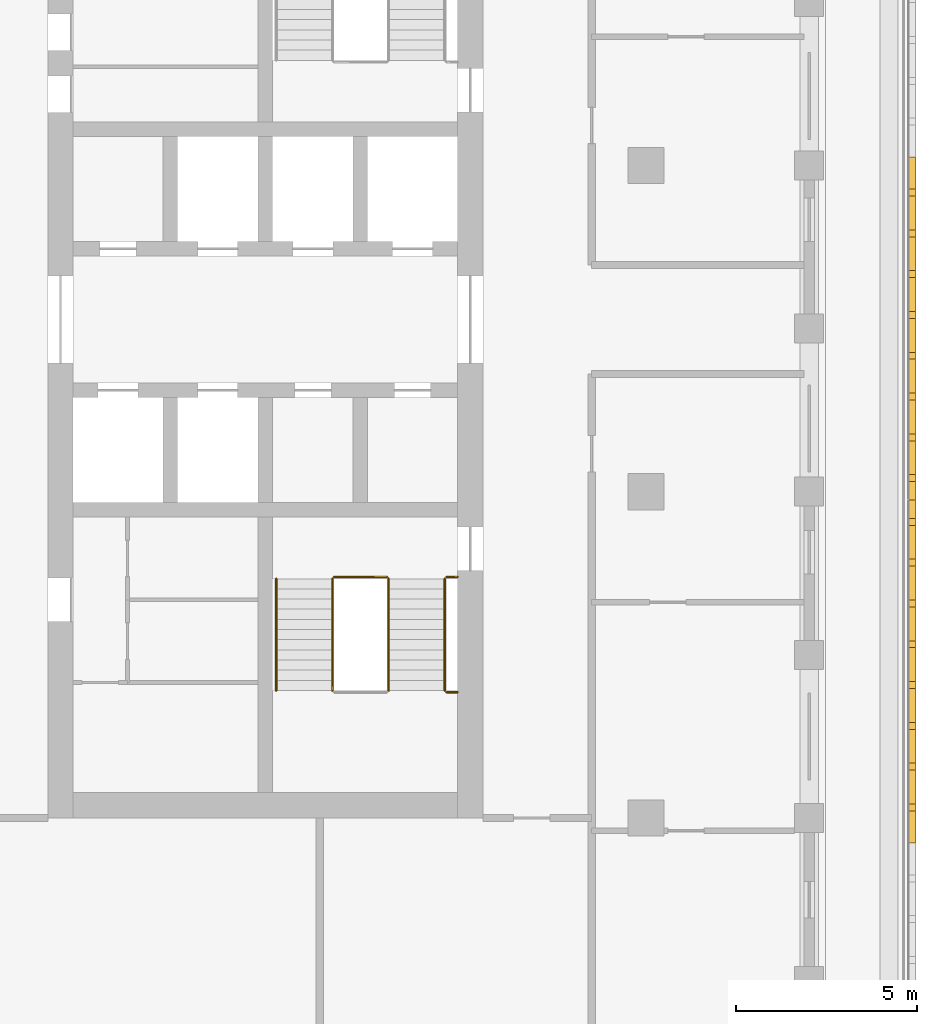
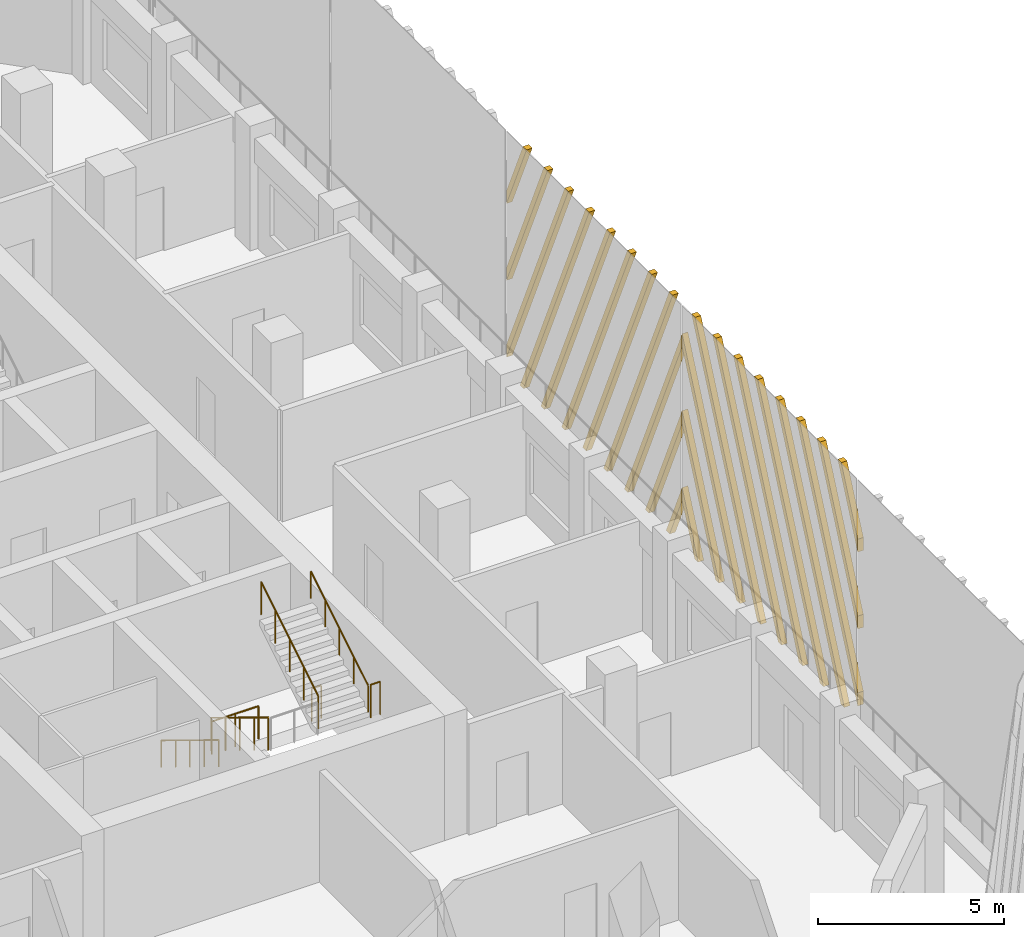
# One storey, part 12 of 17: 7 railings, 2 shading devices.
"""IFC4 building model written with IfcOpenShell, lengths in metres."""

import ifcopenshell
import ifcopenshell.guid

model = None  # the IFC model being written
_history = None  # IfcOwnerHistory: only IFC2X3 demands one
_inside = {}  # id of a spatial element -> (the spatial element, [elements in it])
_under = {}  # id of a project, library or spatial element -> (it, [spatial elements below it])
_declared = {}  # id of a project -> (the project, [libraries it declares])
_typed = {}  # id of a type object -> (the type object, [elements of that type])
_made_of = {}  # id of a material, layer set ... -> (it, [elements and type objects made of it])


def new_model(schema):
    """Start an empty IFC model of exactly this schema.

    Asked for "IFC4X3", IfcOpenShell would pick the latest addendum, in which some entities
    have other attributes; the version numbers below select the first issue.
    IFC2X3 requires an IfcOwnerHistory on every rooted entity: one is made here for all.
    """
    global model, _history
    if schema == "IFC4X3":
        model = ifcopenshell.file(schema_version=(4, 3, 0, 0))
    else:
        model = ifcopenshell.file(schema=schema)
    _inside.clear()
    _under.clear()
    _declared.clear()
    _typed.clear()
    _made_of.clear()
    _history = None
    if model.schema == "IFC2X3":
        org = make("IfcOrganization", Name="unknown")
        user = make(
            "IfcPersonAndOrganization",
            ThePerson=make("IfcPerson", FamilyName="unknown"),
            TheOrganization=org,
        )
        app = make(
            "IfcApplication",
            ApplicationDeveloper=org,
            Version="unknown",
            ApplicationFullName="unknown",
            ApplicationIdentifier="unknown",
        )
        _history = make(
            "IfcOwnerHistory",
            OwningUser=user,
            OwningApplication=app,
            ChangeAction="ADDED",
            CreationDate=0,
        )
    return model


def make(cls, **values):
    """One entity of the class cls with the attributes given. An attribute that is None is left unset."""
    return model.create_entity(
        cls, **{name: value for name, value in values.items() if value is not None}
    )


def rooted(cls, **values):
    """An entity with a GlobalId (a new one), such as an element, a storey or a relation."""
    return make(cls, GlobalId=ifcopenshell.guid.new(), OwnerHistory=_history, **values)


def si_unit(unit_type, name, prefix=None):
    """IfcSIUnit, for example si_unit("LENGTHUNIT", "METRE", prefix="MILLI")."""
    return make("IfcSIUnit", UnitType=unit_type, Prefix=prefix, Name=name)


def assignment(units):
    """IfcUnitAssignment: the units of a project."""
    return None if units is None else make("IfcUnitAssignment", Units=units)


def point(xyz):
    """IfcCartesianPoint."""
    return None if xyz is None else make("IfcCartesianPoint", Coordinates=xyz)


def direction(xyz):
    """IfcDirection."""
    return None if xyz is None else make("IfcDirection", DirectionRatios=xyz)


def frame(location, z_axis=None, x_axis=None):
    """IfcAxis2Placement3D, a coordinate frame: its origin and axes. An axis left out is left unset."""
    return make(
        "IfcAxis2Placement3D",
        Location=point(location),
        Axis=direction(z_axis),
        RefDirection=direction(x_axis),
    )


def frame_2d(location, x_axis=None):
    """IfcAxis2Placement2D, a coordinate frame in the plane: its origin and x axis."""
    return make(
        "IfcAxis2Placement2D", Location=point(location), RefDirection=direction(x_axis)
    )


def origin():
    """The frame at (0, 0, 0) with its axes left unset."""
    return frame((0.0, 0.0, 0.0))


def origin_2d():
    """The frame at (0, 0) in the plane with its x axis left unset."""
    return frame_2d((0.0, 0.0))


def place(relative_to, where):
    """IfcLocalPlacement: puts the frame where relative to a parent placement (None: the world)."""
    return make(
        "IfcLocalPlacement", PlacementRelTo=relative_to, RelativePlacement=where
    )


def context(
    kind, dimensions, precision=None, world=None, true_north=None, identifier=None
):
    """IfcGeometricRepresentationContext, for example the 3D "Model" context."""
    return make(
        "IfcGeometricRepresentationContext",
        ContextIdentifier=identifier,
        ContextType=kind,
        CoordinateSpaceDimension=dimensions,
        Precision=precision,
        WorldCoordinateSystem=world,
        TrueNorth=true_north,
    )


def subcontext(parent, identifier, kind, view, scale=None):
    """IfcGeometricRepresentationSubContext, for example "Body" below "Model"."""
    return make(
        "IfcGeometricRepresentationSubContext",
        ContextIdentifier=identifier,
        ContextType=kind,
        ParentContext=parent,
        TargetScale=scale,
        TargetView=view,
    )


def project(units=None, contexts=None):
    """IfcProject with its units and contexts."""
    return rooted(
        "IfcProject",
        Name="project",
        RepresentationContexts=contexts,
        UnitsInContext=assignment(units),
    )


def spatial(cls, under=None, at=None, **own):
    """A site, building, storey or space (cls), placed at a placement, below another one or the project."""
    s = rooted(cls, ObjectPlacement=at, **own)
    if under is not None:
        _under.setdefault(under.id(), (under, []))[1].append(s)
    return s


def polyline(points):
    """IfcPolyline through the points."""
    return make("IfcPolyline", Points=[point(p) for p in points])


def profile(cls, at=None, kind="AREA", **sizes):
    """A parametric profile (cls). Its sizes go by their IFC names, for example OverallWidth=200.0."""
    return make(cls, ProfileType=kind, Position=at, **sizes)


def circle(**sizes):
    """IfcCircleProfileDef."""
    return profile("IfcCircleProfileDef", **sizes)


def outline(outer, holes=None, kind="AREA"):
    """IfcArbitraryClosedProfileDef: a profile drawn as a closed curve; with holes, ...WithVoids."""
    if holes is None:
        return make("IfcArbitraryClosedProfileDef", ProfileType=kind, OuterCurve=outer)
    return make(
        "IfcArbitraryProfileDefWithVoids",
        ProfileType=kind,
        OuterCurve=outer,
        InnerCurves=holes,
    )


def extrude(swept, where, along, depth):
    """IfcExtrudedAreaSolid: the profile swept, set in the frame where, extruded along a direction by depth."""
    return make(
        "IfcExtrudedAreaSolid",
        SweptArea=swept,
        Position=where,
        ExtrudedDirection=direction(along),
        Depth=depth,
    )


def shape(context_of_items, identifier, shape_type, items):
    """IfcShapeRepresentation: the items that make up one representation, for example the "Body"."""
    return make(
        "IfcShapeRepresentation",
        ContextOfItems=context_of_items,
        RepresentationIdentifier=identifier,
        RepresentationType=shape_type,
        Items=items,
    )


def source(mapping_origin, context_of_items, identifier, shape_type, items):
    """IfcRepresentationMap: a shape defined once, which mapped items show again and again."""
    return make(
        "IfcRepresentationMap",
        MappingOrigin=mapping_origin,
        MappedRepresentation=shape(context_of_items, identifier, shape_type, items),
    )


def transform(
    local_origin,
    x_axis=None,
    y_axis=None,
    z_axis=None,
    scale=None,
    scale2=None,
    scale3=None,
    uniform=True,
):
    """IfcCartesianTransformationOperator3D, or its non-uniform kind. x_axis, y_axis, z_axis: its Axis1, 2, 3."""
    if uniform:
        return make(
            "IfcCartesianTransformationOperator3D",
            Axis1=direction(x_axis),
            Axis2=direction(y_axis),
            LocalOrigin=point(local_origin),
            Scale=scale,
            Axis3=direction(z_axis),
        )
    return make(
        "IfcCartesianTransformationOperator3DnonUniform",
        Axis1=direction(x_axis),
        Axis2=direction(y_axis),
        LocalOrigin=point(local_origin),
        Scale=scale,
        Axis3=direction(z_axis),
        Scale2=scale2,
        Scale3=scale3,
    )


def mapped(mapping_source, mapping_target):
    """IfcMappedItem: shows the shape of a source again, moved by a transform."""
    return make(
        "IfcMappedItem", MappingSource=mapping_source, MappingTarget=mapping_target
    )


def material(Name=None, Category=None):
    """IfcMaterial."""
    return make("IfcMaterial", Name=Name, Category=Category)


def made_of(thing, what):
    """Note that an element or type object is made of a material, layer set ...; save() writes the relation."""
    if what is not None:
        _made_of.setdefault(what.id(), (what, []))[1].append(thing)
    return thing


def type_object(cls, material=None, **own):
    """A type object (cls), such as IfcWallType, which elements share."""
    return made_of(rooted(cls, **own), material)


def element(
    cls,
    number,
    at=None,
    inside=None,
    cuts=None,
    type_object=None,
    material=None,
    context=None,
    identifier="Body",
    shape_type=None,
    held_by="IfcProductDefinitionShape",
    body=None,
    shapes=None,
    **own,
):
    """One element of the class cls, such as IfcWall. Its Tag is "e" and its number.

    at: its placement. inside: the storey or other place that contains it. cuts: it is an
    opening in that element (IfcRelVoidsElement). A single representation is given by context,
    identifier, shape_type and body (its items); several are given by shapes. held_by: the class
    of the entity that holds the representations. save() writes the other relations.
    """
    e = rooted(cls, Tag="e%d" % number, ObjectPlacement=at, **own)
    if body is not None:
        shapes = [shape(context, identifier, shape_type, body)]
    if shapes is not None:
        e.Representation = make(held_by, Representations=shapes)
    if inside is not None:
        _inside.setdefault(inside.id(), (inside, []))[1].append(e)
    if cuts is not None:
        rooted(
            "IfcRelVoidsElement", RelatingBuildingElement=cuts, RelatedOpeningElement=e
        )
    if type_object is not None:
        _typed.setdefault(type_object.id(), (type_object, []))[1].append(e)
    return made_of(e, material)


def aggregate(whole, parts):
    """IfcRelAggregates: a whole, such as a stair, and the parts it consists of."""
    return rooted("IfcRelAggregates", RelatingObject=whole, RelatedObjects=parts)


def save(model, path):
    """Write the relations noted so far, then the file.

    IfcRelAggregates (storeys below a building ...), IfcRelContainedInSpatialStructure (elements
    in a storey), IfcRelDefinesByType, IfcRelAssociatesMaterial and IfcRelDeclares: one each for
    every whole, place, type object, material and project.
    """
    for whole, parts in _under.values():
        aggregate(whole, parts)
    for where, things in _inside.values():
        rooted(
            "IfcRelContainedInSpatialStructure",
            RelatedElements=things,
            RelatingStructure=where,
        )
    for kind, things in _typed.values():
        rooted("IfcRelDefinesByType", RelatedObjects=things, RelatingType=kind)
    for what, things in _made_of.values():
        rooted("IfcRelAssociatesMaterial", RelatedObjects=things, RelatingMaterial=what)
    for by, libraries in _declared.values():
        rooted("IfcRelDeclares", RelatingContext=by, RelatedDefinitions=libraries)
    model.write(path)


model = new_model("IFC4")

# Units and contexts
model_context = context("Model", 3, precision=1e-05, world=origin(), true_north=direction((0.0, 1.0)))
body_context = subcontext(model_context, "Body", "Model", "MODEL_VIEW")
ifc_project = project(units=[si_unit("LENGTHUNIT", "METRE"), si_unit("AREAUNIT", "SQUARE_METRE"), si_unit("VOLUMEUNIT", "CUBIC_METRE"), si_unit("PLANEANGLEUNIT", "RADIAN"), si_unit("MASSUNIT", "GRAM", prefix="KILO")], contexts=[model_context])

# Site, building, storey
site_placement = place(None, origin())
site = spatial("IfcSite", under=ifc_project, at=site_placement, CompositionType="ELEMENT")
building_placement = place(site_placement, origin())
building = spatial("IfcBuilding", under=site, at=building_placement, Name="Corbel Stack Research Tower", CompositionType="ELEMENT")
storey_placement = place(building_placement, frame((0.0, 0.0, 231.60009765625)))
storey = spatial("IfcBuildingStorey", under=building, at=storey_placement, Name="L52", CompositionType="ELEMENT", Elevation=231.60009765625)

# Railings
ifc_material_1 = material(Name="Steel S355", Category="steel")
railing_type_1 = type_object("IfcRailingType", Name="Stair guard 1100", PredefinedType="GUARDRAIL", material=ifc_material_1)
railing_1_placement = place(storey_placement, frame((13.85009765625, -2.39990234375, 0.170654296875)))
element("IfcRailing", 1, at=railing_1_placement, inside=storey, type_object=railing_type_1, Name="L52 ST-E1 stair guard 1", PredefinedType="GUARDRAIL", context=body_context, shape_type="SweptSolid", body=[
    extrude(circle(Radius=0.02392578125, at=origin_2d()), frame((0.0, 0.0, 1.076171875), z_axis=(0.0, -0.853666305674, 0.52082035152), x_axis=(1.0, 0.0, 0.0)), (0.0, 0.0, 1.0), 3.608154296875),
    extrude(circle(Radius=0.02099609375, at=origin_2d()), origin(), (0.0, 0.0, 1.0), 1.052001953125),
    extrude(circle(Radius=0.02099609375, at=origin_2d()), frame((0.0, -0.77001953125, 0.4697265625)), (0.0, 0.0, 1.0), 1.052001953125),
    extrude(circle(Radius=0.02099609375, at=origin_2d()), frame((0.0, -1.5400390625, 0.939453125)), (0.0, 0.0, 1.0), 1.052001953125),
    extrude(circle(Radius=0.02099609375, at=origin_2d()), frame((0.0, -2.31005859375, 1.409423828125)), (0.0, 0.0, 1.0), 1.052001953125),
    extrude(circle(Radius=0.02099609375, at=origin_2d()), frame((0.0, -3.080078125, 1.879150390625)), (0.0, 0.0, 1.0), 1.052001953125),
])
railing_2_placement = place(storey_placement, frame((17.0, -5.530029296875, 2.0498046875)))
element("IfcRailing", 2, at=railing_2_placement, inside=storey, type_object=railing_type_1, Name="L52 ST-E1 stair guard 3", PredefinedType="GUARDRAIL", context=body_context, shape_type="SweptSolid", body=[
    extrude(circle(Radius=0.02392578125, at=origin_2d()), frame((0.0, 0.0, 1.076171875), z_axis=(1.0, 0.0, 0.0), x_axis=(0.0, 1.0, 0.0)), (0.0, 0.0, 1.0), 0.300048828125),
    extrude(circle(Radius=0.02099609375, at=origin_2d()), origin(), (0.0, 0.0, 1.0), 1.052001953125),
    extrude(circle(Radius=0.02099609375, at=origin_2d()), frame((0.300048828125, 0.0, 0.0)), (0.0, 0.0, 1.0), 1.052001953125),
])
railing_3_placement = place(storey_placement, frame((15.39990234375, -5.47998046875, 2.220703125)))
element("IfcRailing", 3, at=railing_3_placement, inside=storey, type_object=railing_type_1, Name="L52 ST-E1 stair guard 4", PredefinedType="GUARDRAIL", context=body_context, shape_type="SweptSolid", body=[
    extrude(circle(Radius=0.02392578125, at=origin_2d()), frame((0.0, 0.0, 1.076171875), z_axis=(0.0, 0.853666305674, 0.52082035152), x_axis=(-1.0, 0.0, 0.0)), (0.0, 0.0, 1.0), 3.608154296875),
    extrude(circle(Radius=0.02099609375, at=origin_2d()), origin(), (0.0, 0.0, 1.0), 1.052001953125),
    extrude(circle(Radius=0.02099609375, at=origin_2d()), frame((0.0, 0.77001953125, 0.4697265625)), (0.0, 0.0, 1.0), 1.052001953125),
    extrude(circle(Radius=0.02099609375, at=origin_2d()), frame((0.0, 1.5400390625, 0.939453125)), (0.0, 0.0, 1.0), 1.052001953125),
    extrude(circle(Radius=0.02099609375, at=origin_2d()), frame((0.0, 2.31005859375, 1.409423828125)), (0.0, 0.0, 1.0), 1.052001953125),
    extrude(circle(Radius=0.02099609375, at=origin_2d()), frame((0.0, 3.080078125, 1.879150390625)), (0.0, 0.0, 1.0), 1.052001953125),
])
railing_4_placement = place(storey_placement, frame((13.89990234375, -2.35009765625, 0.0)))
element("IfcRailing", 4, at=railing_4_placement, inside=storey, type_object=railing_type_1, Name="L52 ST-E1 stair guard 5", PredefinedType="GUARDRAIL", context=body_context, shape_type="SweptSolid", body=[
    extrude(circle(Radius=0.02392578125, at=origin_2d()), frame((0.0, 0.0, 1.076171875), z_axis=(1.0, 0.0, 0.0), x_axis=(0.0, 1.0, 0.0)), (0.0, 0.0, 1.0), 1.4501953125),
    extrude(circle(Radius=0.02099609375, at=origin_2d()), origin(), (0.0, 0.0, 1.0), 1.052001953125),
    extrude(circle(Radius=0.02099609375, at=origin_2d()), frame((0.72509765625, 0.0, 0.0)), (0.0, 0.0, 1.0), 1.052001953125),
    extrude(circle(Radius=0.02099609375, at=origin_2d()), frame((1.4501953125, 0.0, 0.0)), (0.0, 0.0, 1.0), 1.052001953125),
])
railing_5_placement = place(storey_placement, frame((17.0, -2.35009765625, 0.0)))
element("IfcRailing", 5, at=railing_5_placement, inside=storey, type_object=railing_type_1, Name="L52 ST-E1 stair guard 6", PredefinedType="GUARDRAIL", context=body_context, shape_type="SweptSolid", body=[
    extrude(circle(Radius=0.02392578125, at=origin_2d()), frame((0.0, 0.0, 1.076171875), z_axis=(1.0, 0.0, 0.0), x_axis=(0.0, 1.0, 0.0)), (0.0, 0.0, 1.0), 0.300048828125),
    extrude(circle(Radius=0.02099609375, at=origin_2d()), origin(), (0.0, 0.0, 1.0), 1.052001953125),
    extrude(circle(Radius=0.02099609375, at=origin_2d()), frame((0.300048828125, 0.0, 0.0)), (0.0, 0.0, 1.0), 1.052001953125),
])
ifc_material_2 = material(Name="Steel S355", Category="steel")
railing_type_2 = type_object("IfcRailingType", Name="Stair handrail 900", PredefinedType="HANDRAIL", material=ifc_material_2)
railing_6_placement = place(storey_placement, frame((12.300048828125, -2.39990234375, 0.170654296875)))
element("IfcRailing", 6, at=railing_6_placement, inside=storey, type_object=railing_type_2, Name="L52 ST-E1 stair handrail 1", PredefinedType="HANDRAIL", context=body_context, shape_type="SweptSolid", body=[
    extrude(circle(Radius=0.02392578125, at=origin_2d()), frame((0.0, 0.0, 0.8759765625), z_axis=(0.0, -0.853666305674, 0.52082035152), x_axis=(1.0, 0.0, 0.0)), (0.0, 0.0, 1.0), 3.608154296875),
    extrude(circle(Radius=0.02099609375, at=origin_2d()), origin(), (0.0, 0.0, 1.0), 0.851806640625),
    extrude(circle(Radius=0.02099609375, at=origin_2d()), frame((0.0, -0.77001953125, 0.4697265625)), (0.0, 0.0, 1.0), 0.851806640625),
    extrude(circle(Radius=0.02099609375, at=origin_2d()), frame((0.0, -1.5400390625, 0.939453125)), (0.0, 0.0, 1.0), 0.851806640625),
    extrude(circle(Radius=0.02099609375, at=origin_2d()), frame((0.0, -2.31005859375, 1.409423828125)), (0.0, 0.0, 1.0), 0.851806640625),
    extrude(circle(Radius=0.02099609375, at=origin_2d()), frame((0.0, -3.080078125, 1.879150390625)), (0.0, 0.0, 1.0), 0.851806640625),
])
railing_7_placement = place(storey_placement, frame((16.949951171875, -5.47998046875, 2.220703125)))
element("IfcRailing", 7, at=railing_7_placement, inside=storey, type_object=railing_type_2, Name="L52 ST-E1 stair handrail 2", PredefinedType="HANDRAIL", context=body_context, shape_type="SweptSolid", body=[
    extrude(circle(Radius=0.02392578125, at=origin_2d()), frame((0.0, 0.0, 0.8759765625), z_axis=(0.0, 0.853666305674, 0.52082035152), x_axis=(-1.0, 0.0, 0.0)), (0.0, 0.0, 1.0), 3.608154296875),
    extrude(circle(Radius=0.02099609375, at=origin_2d()), origin(), (0.0, 0.0, 1.0), 0.851806640625),
    extrude(circle(Radius=0.02099609375, at=origin_2d()), frame((0.0, 0.77001953125, 0.4697265625)), (0.0, 0.0, 1.0), 0.851806640625),
    extrude(circle(Radius=0.02099609375, at=origin_2d()), frame((0.0, 1.5400390625, 0.939453125)), (0.0, 0.0, 1.0), 0.851806640625),
    extrude(circle(Radius=0.02099609375, at=origin_2d()), frame((0.0, 2.31005859375, 1.409423828125)), (0.0, 0.0, 1.0), 0.851806640625),
    extrude(circle(Radius=0.02099609375, at=origin_2d()), frame((0.0, 3.080078125, 1.879150390625)), (0.0, 0.0, 1.0), 0.851806640625),
])

# Shading devices
ifc_material_3 = material(Name="Precast terracotta", Category="masonry")
shading_device_type = type_object("IfcShadingDeviceType", Name="Terracotta screen panel", PredefinedType="USERDEFINED", material=ifc_material_3)
shared_shape_1 = source(origin(), body_context, "Body", "SweptSolid", [
    extrude(outline(polyline([(0.862060546875, 0.0), (0.0, 1.936279296875), (0.0, 1.509521484375), (0.672119140625, 0.0), (0.862060546875, 0.0)])), frame((0.0, 0.0, 0.0), z_axis=(0.0, -1.0, 0.0), x_axis=(1.0, 0.0, 0.0)), (0.0, 0.0, 1.0), 0.179931640625),
    extrude(outline(polyline([(1.987060546875, 0.0), (0.0, 4.463134765625), (0.0, 4.036376953125), (1.797119140625, 0.0), (1.987060546875, 0.0)])), frame((0.0, 0.0, 0.0), z_axis=(0.0, -1.0, 0.0), x_axis=(1.0, 0.0, 0.0)), (0.0, 0.0, 1.0), 0.179931640625),
    extrude(outline(polyline([(3.112060546875, 0.0), (0.0, 6.989990234375), (0.0, 6.563232421875), (2.922119140625, 0.0), (3.112060546875, 0.0)])), frame((0.0, 0.0, 0.0), z_axis=(0.0, -1.0, 0.0), x_axis=(1.0, 0.0, 0.0)), (0.0, 0.0, 1.0), 0.179931640625),
    extrude(outline(polyline([(4.237060546875, 0.0), (0.697509765625, 7.949951171875), (0.507568359375, 7.949951171875), (4.047119140625, 0.0), (4.237060546875, 0.0)])), frame((0.0, 0.0, 0.0), z_axis=(0.0, -1.0, 0.0), x_axis=(1.0, 0.0, 0.0)), (0.0, 0.0, 1.0), 0.179931640625),
    extrude(outline(polyline([(5.362060546875, 0.0), (1.822509765625, 7.949951171875), (1.632568359375, 7.949951171875), (5.172119140625, 0.0), (5.362060546875, 0.0)])), frame((0.0, 0.0, 0.0), z_axis=(0.0, -1.0, 0.0), x_axis=(1.0, 0.0, 0.0)), (0.0, 0.0, 1.0), 0.179931640625),
    extrude(outline(polyline([(6.487060546875, 0.0), (2.947509765625, 7.949951171875), (2.757568359375, 7.949951171875), (6.297119140625, 0.0), (6.487060546875, 0.0)])), frame((0.0, 0.0, 0.0), z_axis=(0.0, -1.0, 0.0), x_axis=(1.0, 0.0, 0.0)), (0.0, 0.0, 1.0), 0.179931640625),
    extrude(outline(polyline([(7.612060546875, 0.0), (4.072509765625, 7.949951171875), (3.882568359375, 7.949951171875), (7.422119140625, 0.0), (7.612060546875, 0.0)])), frame((0.0, 0.0, 0.0), z_axis=(0.0, -1.0, 0.0), x_axis=(1.0, 0.0, 0.0)), (0.0, 0.0, 1.0), 0.179931640625),
    extrude(outline(polyline([(8.737060546875, 0.0), (5.197509765625, 7.949951171875), (5.007568359375, 7.949951171875), (8.547119140625, 0.0), (8.737060546875, 0.0)])), frame((0.0, 0.0, 0.0), z_axis=(0.0, -1.0, 0.0), x_axis=(1.0, 0.0, 0.0)), (0.0, 0.0, 1.0), 0.179931640625),
    extrude(outline(polyline([(6.322509765625, 7.949951171875), (6.132568359375, 7.949951171875), (9.45556640625, 0.486328125), (9.45556640625, 0.9130859375), (6.322509765625, 7.949951171875)])), frame((0.0, 0.0, 0.0), z_axis=(0.0, -1.0, 0.0), x_axis=(1.0, 0.0, 0.0)), (0.0, 0.0, 1.0), 0.179931640625),
    extrude(outline(polyline([(7.447509765625, 7.949951171875), (7.257568359375, 7.949951171875), (9.45556640625, 3.01318359375), (9.45556640625, 3.439697265625), (7.447509765625, 7.949951171875)])), frame((0.0, 0.0, 0.0), z_axis=(0.0, -1.0, 0.0), x_axis=(1.0, 0.0, 0.0)), (0.0, 0.0, 1.0), 0.179931640625),
    extrude(outline(polyline([(8.572509765625, 7.949951171875), (8.382568359375, 7.949951171875), (9.45556640625, 5.539794921875), (9.45556640625, 5.966552734375), (8.572509765625, 7.949951171875)])), frame((0.0, 0.0, 0.0), z_axis=(0.0, -1.0, 0.0), x_axis=(1.0, 0.0, 0.0)), (0.0, 0.0, 1.0), 0.179931640625),
])
shading_device_1_placement = place(storey_placement, frame((29.75, -0.227783203125, 0.0), z_axis=(0.0, 0.0, 1.0), x_axis=(0.0, 1.0, 0.0)))
element("IfcShadingDevice", 8, at=shading_device_1_placement, inside=storey, type_object=shading_device_type, Name="Terracotta screen L52 E3", ObjectType="SCREEN", PredefinedType="USERDEFINED", context=body_context, shape_type="MappedRepresentation", body=[
    mapped(shared_shape_1, transform((0.0, 0.0, 0.0))),
])
shared_shape_2 = source(origin(), body_context, "Body", "SweptSolid", [
    extrude(outline(polyline([(1.072998046875, 7.949951171875), (0.883056640625, 7.949951171875), (0.0, 5.966552734375), (0.0, 5.539794921875), (1.072998046875, 7.949951171875)])), frame((0.0, 0.0, 0.0), z_axis=(0.0, -1.0, 0.0), x_axis=(1.0, 0.0, 0.0)), (0.0, 0.0, 1.0), 0.179931640625),
    extrude(outline(polyline([(2.197998046875, 7.949951171875), (2.008056640625, 7.949951171875), (0.0, 3.439697265625), (0.0, 3.01318359375), (2.197998046875, 7.949951171875)])), frame((0.0, 0.0, 0.0), z_axis=(0.0, -1.0, 0.0), x_axis=(1.0, 0.0, 0.0)), (0.0, 0.0, 1.0), 0.179931640625),
    extrude(outline(polyline([(3.322998046875, 7.949951171875), (3.133056640625, 7.949951171875), (0.0, 0.9130859375), (0.0, 0.486328125), (3.322998046875, 7.949951171875)])), frame((0.0, 0.0, 0.0), z_axis=(0.0, -1.0, 0.0), x_axis=(1.0, 0.0, 0.0)), (0.0, 0.0, 1.0), 0.179931640625),
    extrude(outline(polyline([(0.908447265625, 0.0), (4.447998046875, 7.949951171875), (4.258056640625, 7.949951171875), (0.718505859375, 0.0), (0.908447265625, 0.0)])), frame((0.0, 0.0, 0.0), z_axis=(0.0, -1.0, 0.0), x_axis=(1.0, 0.0, 0.0)), (0.0, 0.0, 1.0), 0.179931640625),
    extrude(outline(polyline([(2.033447265625, 0.0), (5.572998046875, 7.949951171875), (5.383056640625, 7.949951171875), (1.843505859375, 0.0), (2.033447265625, 0.0)])), frame((0.0, 0.0, 0.0), z_axis=(0.0, -1.0, 0.0), x_axis=(1.0, 0.0, 0.0)), (0.0, 0.0, 1.0), 0.179931640625),
    extrude(outline(polyline([(3.158447265625, 0.0), (6.697998046875, 7.949951171875), (6.508056640625, 7.949951171875), (2.968505859375, 0.0), (3.158447265625, 0.0)])), frame((0.0, 0.0, 0.0), z_axis=(0.0, -1.0, 0.0), x_axis=(1.0, 0.0, 0.0)), (0.0, 0.0, 1.0), 0.179931640625),
    extrude(outline(polyline([(4.283447265625, 0.0), (7.822998046875, 7.949951171875), (7.633056640625, 7.949951171875), (4.093505859375, 0.0), (4.283447265625, 0.0)])), frame((0.0, 0.0, 0.0), z_axis=(0.0, -1.0, 0.0), x_axis=(1.0, 0.0, 0.0)), (0.0, 0.0, 1.0), 0.179931640625),
    extrude(outline(polyline([(5.408447265625, 0.0), (8.947998046875, 7.949951171875), (8.758056640625, 7.949951171875), (5.218505859375, 0.0), (5.408447265625, 0.0)])), frame((0.0, 0.0, 0.0), z_axis=(0.0, -1.0, 0.0), x_axis=(1.0, 0.0, 0.0)), (0.0, 0.0, 1.0), 0.179931640625),
    extrude(outline(polyline([(6.533447265625, 0.0), (9.45556640625, 6.563232421875), (9.45556640625, 6.989990234375), (6.343505859375, 0.0), (6.533447265625, 0.0)])), frame((0.0, 0.0, 0.0), z_axis=(0.0, -1.0, 0.0), x_axis=(1.0, 0.0, 0.0)), (0.0, 0.0, 1.0), 0.179931640625),
    extrude(outline(polyline([(7.658447265625, 0.0), (9.45556640625, 4.036376953125), (9.45556640625, 4.463134765625), (7.468505859375, 0.0), (7.658447265625, 0.0)])), frame((0.0, 0.0, 0.0), z_axis=(0.0, -1.0, 0.0), x_axis=(1.0, 0.0, 0.0)), (0.0, 0.0, 1.0), 0.179931640625),
    extrude(outline(polyline([(8.783447265625, 0.0), (9.45556640625, 1.509521484375), (9.45556640625, 1.936279296875), (8.593505859375, 0.0), (8.783447265625, 0.0)])), frame((0.0, 0.0, 0.0), z_axis=(0.0, -1.0, 0.0), x_axis=(1.0, 0.0, 0.0)), (0.0, 0.0, 1.0), 0.179931640625),
])
shading_device_2_placement = place(storey_placement, frame((29.75, -9.68359375, 0.0), z_axis=(0.0, 0.0, 1.0), x_axis=(0.0, 1.0, 0.0)))
element("IfcShadingDevice", 9, at=shading_device_2_placement, inside=storey, type_object=shading_device_type, Name="Terracotta screen L52 E2", ObjectType="SCREEN", PredefinedType="USERDEFINED", context=body_context, shape_type="MappedRepresentation", body=[
    mapped(shared_shape_2, transform((0.0, 0.0, 0.0))),
])

save(model, "model.ifc")
